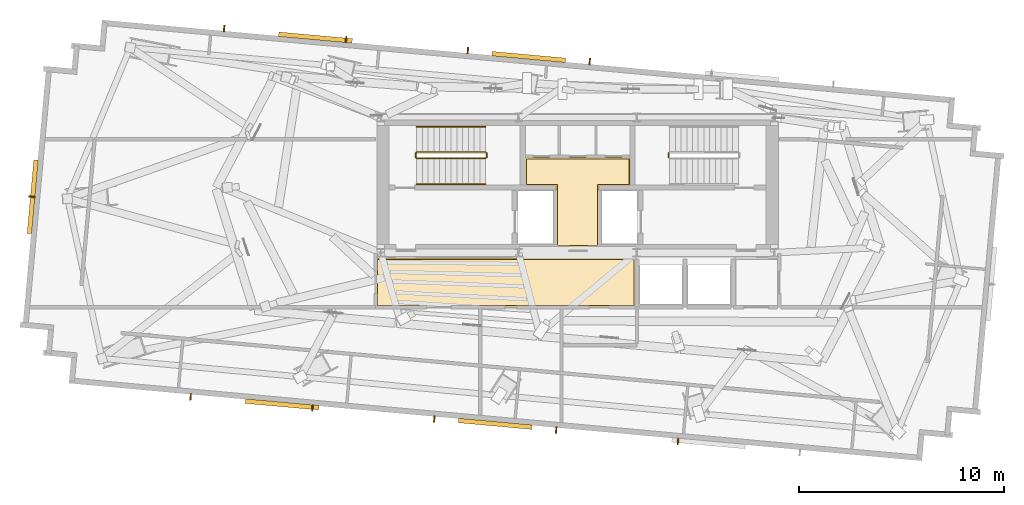
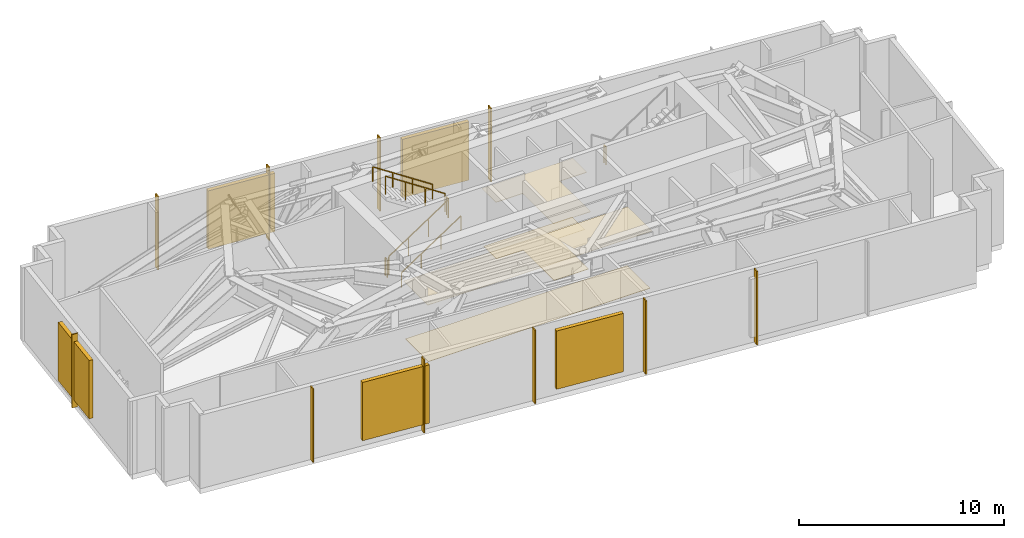
# One storey, part 8 of 9: 15 shading devices, 7 railings, 4 coverings.
"""IFC4 building model written with IfcOpenShell, lengths in metres."""

from ifc_helpers import new_model, si_unit, direction, frame, origin, origin_2d, place, context, subcontext, project, spatial, polyline, rectangle, outline, extrude, source, transform, mapped, material, layer, layer_set, type_object, type_shapes, element, save


model = new_model("IFC4")

# Units and contexts
model_context = context("Model", 3, precision=1e-05, world=origin(), true_north=direction((0.0, 1.0)))
body_context = subcontext(model_context, "Body", "Model", "MODEL_VIEW")
ifc_project = project(units=[si_unit("LENGTHUNIT", "METRE"), si_unit("AREAUNIT", "SQUARE_METRE"), si_unit("VOLUMEUNIT", "CUBIC_METRE"), si_unit("PLANEANGLEUNIT", "RADIAN"), si_unit("MASSUNIT", "GRAM", prefix="KILO")], contexts=[model_context])

# Site, building, storey
site_placement = place(None, origin())
site = spatial("IfcSite", under=ifc_project, at=site_placement, CompositionType="ELEMENT")
building_placement = place(site_placement, origin())
building = spatial("IfcBuilding", under=site, at=building_placement, Name="Astriad Promenade Condominiums", CompositionType="ELEMENT")
storey_placement = place(building_placement, frame((0.0, 0.0, 259.5)))
storey = spatial("IfcBuildingStorey", under=building, at=storey_placement, Name="L75", CompositionType="ELEMENT", Elevation=259.5)

# Coverings
ifc_material_1 = material(Name="Mineral-Fibre Acoustic Ceiling Tile")
ifc_layer_1 = layer(ifc_material_1, 0.02490234375)
ifc_layer_set_1 = layer_set([ifc_layer_1], Name="Mineral-Fibre Acoustic Ceiling Tile")
covering_type_1 = type_object("IfcCoveringType", Name="COV-CEIL-ACOUSTIC-25", PredefinedType="CEILING", material=ifc_layer_set_1)
covering_1_placement = place(storey_placement, frame((0.0, 0.0, 3.43505859375)))
element("IfcCovering", 1, at=covering_1_placement, inside=storey, type_object=covering_type_1, Name="CEIL-L75-CSL", PredefinedType="CEILING", context=body_context, shape_type="SweptSolid", body=[
    extrude(outline(polyline([(37.050048828125, 17.699951171875), (37.0498046875, 17.697021484375), (37.04931640625, 17.694091796875), (37.048583984375, 17.69140625), (37.047607421875, 17.6884765625), (37.04638671875, 17.685791015625), (37.044921875, 17.683349609375), (37.043212890625, 17.680908203125), (37.041259765625, 17.6787109375), (37.0390625, 17.6767578125), (37.03662109375, 17.675048828125), (37.0341796875, 17.673583984375), (37.031494140625, 17.67236328125), (37.02880859375, 17.67138671875), (37.02587890625, 17.670654296875), (37.02294921875, 17.670166015625), (37.02001953125, 17.669921875), (34.97998046875, 17.669921875), (34.97705078125, 17.670166015625), (34.97412109375, 17.670654296875), (34.97119140625, 17.67138671875), (34.968505859375, 17.67236328125), (34.9658203125, 17.673583984375), (34.96337890625, 17.675048828125), (34.9609375, 17.6767578125), (34.958740234375, 17.6787109375), (34.956787109375, 17.680908203125), (34.955078125, 17.683349609375), (34.95361328125, 17.685791015625), (34.952392578125, 17.6884765625), (34.951416015625, 17.69140625), (34.95068359375, 17.694091796875), (34.9501953125, 17.697021484375), (34.949951171875, 17.699951171875), (34.949951171875, 20.669921875), (33.4599609375, 20.669921875), (33.45703125, 20.670166015625), (33.4541015625, 20.670654296875), (33.451416015625, 20.67138671875), (33.448486328125, 20.67236328125), (33.44580078125, 20.673583984375), (33.443359375, 20.675048828125), (33.44091796875, 20.6767578125), (33.438720703125, 20.6787109375), (33.436767578125, 20.680908203125), (33.43505859375, 20.683349609375), (33.43359375, 20.685791015625), (33.432373046875, 20.6884765625), (33.431396484375, 20.69140625), (33.4306640625, 20.694091796875), (33.43017578125, 20.697021484375), (33.429931640625, 20.699951171875), (33.429931640625, 22.02001953125), (33.43017578125, 22.02294921875), (33.4306640625, 22.02587890625), (33.431396484375, 22.02880859375), (33.432373046875, 22.031494140625), (33.43359375, 22.0341796875), (33.43505859375, 22.03662109375), (33.436767578125, 22.0390625), (33.438720703125, 22.041259765625), (33.44091796875, 22.043212890625), (33.443359375, 22.044921875), (33.44580078125, 22.04638671875), (33.448486328125, 22.047607421875), (33.451416015625, 22.048583984375), (33.4541015625, 22.04931640625), (33.45703125, 22.0498046875), (33.4599609375, 22.050048828125), (38.5400390625, 22.050048828125), (38.54296875, 22.0498046875), (38.5458984375, 22.04931640625), (38.548583984375, 22.048583984375), (38.551513671875, 22.047607421875), (38.55419921875, 22.04638671875), (38.556640625, 22.044921875), (38.55908203125, 22.043212890625), (38.561279296875, 22.041259765625), (38.563232421875, 22.0390625), (38.56494140625, 22.03662109375), (38.56640625, 22.0341796875), (38.567626953125, 22.031494140625), (38.568603515625, 22.02880859375), (38.5693359375, 22.02587890625), (38.56982421875, 22.02294921875), (38.570068359375, 22.02001953125), (38.570068359375, 20.699951171875), (38.56982421875, 20.697021484375), (38.5693359375, 20.694091796875), (38.568603515625, 20.69140625), (38.567626953125, 20.6884765625), (38.56640625, 20.685791015625), (38.56494140625, 20.683349609375), (38.563232421875, 20.680908203125), (38.561279296875, 20.6787109375), (38.55908203125, 20.6767578125), (38.556640625, 20.675048828125), (38.55419921875, 20.673583984375), (38.551513671875, 20.67236328125), (38.548583984375, 20.67138671875), (38.5458984375, 20.670654296875), (38.54296875, 20.670166015625), (38.5400390625, 20.669921875), (37.050048828125, 20.669921875), (37.050048828125, 17.699951171875)])), origin(), (0.0, 0.0, 1.0), 0.02490234375),
])
covering_2_placement = place(storey_placement, frame((0.0, 0.0, 3.43505859375)))
element("IfcCovering", 2, at=covering_2_placement, inside=storey, type_object=covering_type_1, Name="CEIL-L75-PCOR-1", PredefinedType="CEILING", context=body_context, shape_type="SweptSolid", body=[
    extrude(outline(polyline([(38.8212890625, 17.12109375), (38.8232421875, 17.118896484375), (38.824951171875, 17.11669921875), (38.826416015625, 17.114013671875), (38.82763671875, 17.111572265625), (38.82861328125, 17.108642578125), (38.829345703125, 17.10595703125), (38.829833984375, 17.102783203125), (38.830078125, 17.10009765625), (38.830078125, 14.780029296875), (38.829833984375, 14.777099609375), (38.829345703125, 14.774169921875), (38.82861328125, 14.771240234375), (38.82763671875, 14.7685546875), (38.826416015625, 14.765869140625), (38.824951171875, 14.76318359375), (38.8232421875, 14.760986328125), (38.8212890625, 14.7587890625), (38.819091796875, 14.7568359375), (38.816650390625, 14.755126953125), (38.814208984375, 14.75341796875), (38.8115234375, 14.752197265625), (38.80859375, 14.751220703125), (38.805908203125, 14.75048828125), (38.802978515625, 14.75), (38.800048828125, 14.75), (26.199951171875, 14.75), (26.197021484375, 14.75), (26.194091796875, 14.75048828125), (26.19140625, 14.751220703125), (26.1884765625, 14.752197265625), (26.185791015625, 14.75341796875), (26.183349609375, 14.755126953125), (26.180908203125, 14.7568359375), (26.1787109375, 14.7587890625), (26.1767578125, 14.760986328125), (26.175048828125, 14.76318359375), (26.173583984375, 14.765869140625), (26.17236328125, 14.7685546875), (26.17138671875, 14.771240234375), (26.170654296875, 14.774169921875), (26.170166015625, 14.777099609375), (26.169921875, 14.780029296875), (26.169921875, 17.10009765625), (26.170166015625, 17.102783203125), (26.170654296875, 17.10595703125), (26.17138671875, 17.108642578125), (26.17236328125, 17.111572265625), (26.173583984375, 17.114013671875), (26.175048828125, 17.11669921875), (26.1767578125, 17.118896484375), (26.1787109375, 17.12109375), (26.18017578125, 17.122314453125), (26.669677734375, 17.122314453125), (26.669677734375, 17.1298828125), (32.850341796875, 17.1298828125), (32.850341796875, 17.122314453125), (33.3896484375, 17.122314453125), (33.3896484375, 17.1298828125), (38.6103515625, 17.1298828125), (38.6103515625, 17.122314453125), (38.81982421875, 17.122314453125), (38.8212890625, 17.12109375)])), origin(), (0.0, 0.0, 1.0), 0.02490234375),
])
ifc_material_2 = material(Name="Polished Lakefront Terrazzo Flooring")
ifc_layer_2 = layer(ifc_material_2, 0.02001953125)
ifc_layer_set_2 = layer_set([ifc_layer_2], Name="Polished Lakefront Terrazzo Flooring")
covering_type_2 = type_object("IfcCoveringType", Name="COV-FLOR-TERRAZZO-20", PredefinedType="FLOORING", material=ifc_layer_set_2)
covering_3_placement = place(storey_placement, origin())
element("IfcCovering", 3, at=covering_3_placement, inside=storey, type_object=covering_type_2, Name="FLR-L75-CSL", PredefinedType="FLOORING", context=body_context, shape_type="SweptSolid", body=[
    extrude(outline(polyline([(36.97998046875, 20.699951171875), (36.97998046875, 17.739990234375), (35.02001953125, 17.739990234375), (35.02001953125, 20.699951171875), (35.019775390625, 20.703857421875), (35.019287109375, 20.707763671875), (35.018310546875, 20.711669921875), (35.01708984375, 20.71533203125), (35.015380859375, 20.718994140625), (35.01318359375, 20.72216796875), (35.010986328125, 20.725341796875), (35.00830078125, 20.728271484375), (35.00537109375, 20.73095703125), (35.002197265625, 20.7333984375), (34.998779296875, 20.7353515625), (34.995361328125, 20.737060546875), (34.99169921875, 20.73828125), (34.98779296875, 20.7392578125), (34.98388671875, 20.73974609375), (34.97998046875, 20.739990234375), (33.5, 20.739990234375), (33.5, 21.97998046875), (38.5, 21.97998046875), (38.5, 20.739990234375), (37.02001953125, 20.739990234375), (37.01611328125, 20.73974609375), (37.01220703125, 20.7392578125), (37.00830078125, 20.73828125), (37.004638671875, 20.737060546875), (37.001220703125, 20.7353515625), (36.997802734375, 20.7333984375), (36.99462890625, 20.73095703125), (36.99169921875, 20.728271484375), (36.989013671875, 20.725341796875), (36.98681640625, 20.72216796875), (36.984619140625, 20.718994140625), (36.98291015625, 20.71533203125), (36.981689453125, 20.711669921875), (36.980712890625, 20.707763671875), (36.980224609375, 20.703857421875), (36.97998046875, 20.699951171875)])), origin(), (0.0, 0.0, 1.0), 0.02001953125),
])
covering_4_placement = place(storey_placement, origin())
element("IfcCovering", 4, at=covering_4_placement, inside=storey, type_object=covering_type_2, Name="FLR-L75-PCOR-1", PredefinedType="FLOORING", context=body_context, shape_type="SweptSolid", body=[
    extrude(outline(polyline([(26.239990234375, 17.06005859375), (38.760009765625, 17.06005859375), (38.760009765625, 14.820068359375), (26.239990234375, 14.820068359375), (26.239990234375, 17.06005859375)])), origin(), (0.0, 0.0, 1.0), 0.02001953125),
])

# Shading devices
ifc_material_3 = material(Name="Anodised aluminium 6063-T6 Black Louvre", Category="aluminium")
shading_device_type_1 = type_object("IfcShadingDeviceType", Name="LOUVRE-ACOUSTIC-220", PredefinedType="JALOUSIE", material=ifc_material_3)
shared_shape_1 = source(origin(), body_context, "Body", "SweptSolid", [
    extrude(rectangle(XDim=3.60009765625, YDim=0.219970703125, at=origin_2d()), origin(), (0.0, 0.0, 1.0), 3.47998046875),
])
type_shapes(shading_device_type_1, [shared_shape_1])
for number, where, z_axis, x_axis, name in (
    (5, (9.40673828125, 20.12890625, 0.449951171875), (0.0, 0.0, 1.0), (0.090632580198, 0.995884398616, 0.0), "LVR-L75-W-1"),
    (6, (23.207763671875, 27.900146484375, 0.449951171875), (0.0, 0.0, 1.0), (0.995884398616, -0.090632580198, 0.0), "LVR-L75-N-1"),
    (7, (33.61474609375, 26.952880859375, 0.449951171875), (0.0, 0.0, 1.0), (0.995884398616, -0.090632580198, 0.0), "LVR-L75-N-2"),
    (8, (31.9853515625, 9.047119140625, 0.449951171875), (0.0, 0.0, 1.0), (-0.995884398616, 0.090632580198, 0.0), "LVR-L75-S-2"),
    (9, (21.578369140625, 9.994140625, 0.449951171875), (0.0, 0.0, 1.0), (-0.995884398616, 0.090632580198, 0.0), "LVR-L75-S-3"),
):
    element("IfcShadingDevice", number, at=place(storey_placement, frame(where, z_axis=z_axis, x_axis=x_axis)), inside=storey, type_object=shading_device_type_1, Name=name, PredefinedType="JALOUSIE", context=body_context, shape_type="MappedRepresentation", body=[
        mapped(shared_shape_1, transform((0.0, 0.0, 0.0), scale=1.0)),
    ])
ifc_material_4 = material(Name="Anodised aluminium 6063-T6 Black Fin", Category="aluminium")
shading_device_type_2 = type_object("IfcShadingDeviceType", Name="FIN-BLACK-260", PredefinedType="USERDEFINED", material=ifc_material_4)
shared_shape_2 = source(origin(), body_context, "Body", "SweptSolid", [
    extrude(rectangle(XDim=0.06494140625, YDim=0.320068359375, at=origin_2d()), origin(), (0.0, 0.0, 1.0), 4.3798828125),
])
type_shapes(shading_device_type_2, [shared_shape_2])
for number, where, z_axis, x_axis, name in (
    (10, (9.366943359375, 20.132568359375, 0.0), (0.0, 0.0, 1.0), (0.090632580198, 0.995884398616, 0.0), "FIN-PLT-L75-W-01"),
    (11, (18.751220703125, 28.345703125, 0.0), (0.0, 0.0, 1.0), (0.995884398616, -0.090632580198, 0.0), "FIN-PLT-L75-N-01"),
    (12, (24.697998046875, 27.8046875, 0.0), (0.0, 0.0, 1.0), (0.995884398616, -0.090632580198, 0.0), "FIN-PLT-L75-N-02"),
    (13, (30.64501953125, 27.263427734375, 0.0), (0.0, 0.0, 1.0), (0.995884398616, -0.090632580198, 0.0), "FIN-PLT-L75-N-03"),
    (14, (36.591796875, 26.72216796875, 0.0), (0.0, 0.0, 1.0), (0.995884398616, -0.090632580198, 0.0), "FIN-PLT-L75-N-04"),
    (15, (40.90185546875, 8.1953125, 0.0), (0.0, 0.0, 1.0), (-0.995884398616, 0.090632580198, 0.0), "FIN-PLT-L75-S-02"),
    (16, (34.955078125, 8.736572265625, 0.0), (0.0, 0.0, 1.0), (-0.995884398616, 0.090632580198, 0.0), "FIN-PLT-L75-S-03"),
    (17, (29.00830078125, 9.27783203125, 0.0), (0.0, 0.0, 1.0), (-0.995884398616, 0.090632580198, 0.0), "FIN-PLT-L75-S-04"),
    (18, (23.061279296875, 9.819091796875, 0.0), (0.0, 0.0, 1.0), (-0.995884398616, 0.090632580198, 0.0), "FIN-PLT-L75-S-05"),
    (19, (17.114501953125, 10.360107421875, 0.0), (0.0, 0.0, 1.0), (-0.995884398616, 0.090632580198, 0.0), "FIN-PLT-L75-S-06"),
):
    element("IfcShadingDevice", number, at=place(storey_placement, frame(where, z_axis=z_axis, x_axis=x_axis)), inside=storey, type_object=shading_device_type_2, Name=name, ObjectType="FIN", PredefinedType="USERDEFINED", context=body_context, shape_type="MappedRepresentation", body=[
        mapped(shared_shape_2, transform((0.0, 0.0, 0.0), scale=1.0)),
    ])

# Railings
ifc_material_5 = material(Name="Painted Galvanised Steel Guardrail", Category="steel")
railing_type_1 = type_object("IfcRailingType", Name="GRD-STAIR-1100", PredefinedType="GUARDRAIL", material=ifc_material_5)
shared_shape_3 = source(origin(), body_context, "Body", "SweptSolid", [
    extrude(rectangle(XDim=0.048095703125, YDim=0.048095703125, at=origin_2d()), frame((0.0, 0.0, 1.076171875), z_axis=(0.0, 1.0, 0.0), x_axis=(-1.0, 0.0, 0.0)), (0.0, 0.0, 1.0), 0.199951171875),
    extrude(rectangle(XDim=0.0419921875, YDim=0.0419921875, at=origin_2d()), origin(), (0.0, 0.0, 1.0), 1.052001953125),
    extrude(rectangle(XDim=0.0419921875, YDim=0.0419921875, at=origin_2d()), frame((0.0, 0.199951171875, 0.0)), (0.0, 0.0, 1.0), 1.052001953125),
])
for number, where, name in (
    (20, (31.56005859375, 22.050048828125, 2.39990234375), "L75 ST-1 stair guard 2"),
    (21, (28.10009765625, 22.050048828125, 0.0), "L75 ST-1 stair guard 4"),
):
    element("IfcRailing", number, at=place(storey_placement, frame(where)), inside=storey, type_object=railing_type_1, Name=name, PredefinedType="GUARDRAIL", context=body_context, shape_type="MappedRepresentation", body=[
        mapped(shared_shape_3, transform((0.0, 0.0, 0.0), scale=1.0)),
    ])
shared_shape_4 = source(origin(), body_context, "Body", "SweptSolid", [
    extrude(rectangle(XDim=0.048095703125, YDim=0.048095703125, at=origin_2d()), frame((0.0, 0.0, 1.076171875), z_axis=(0.834876476806, 0.0, 0.550437342915), x_axis=(0.0, 1.0, 0.0)), (0.0, 0.0, 1.0), 4.024658203125),
    extrude(rectangle(XDim=0.0419921875, YDim=0.0419921875, at=origin_2d()), origin(), (0.0, 0.0, 1.0), 1.052001953125),
    extrude(rectangle(XDim=0.0419921875, YDim=0.0419921875, at=origin_2d()), frame((1.1201171875, 0.0, 0.738525390625)), (0.0, 0.0, 1.0), 1.052001953125),
    extrude(rectangle(XDim=0.0419921875, YDim=0.0419921875, at=origin_2d()), frame((2.239990234375, 0.0, 1.476806640625)), (0.0, 0.0, 1.0), 1.052001953125),
    extrude(rectangle(XDim=0.0419921875, YDim=0.0419921875, at=origin_2d()), frame((3.360107421875, 0.0, 2.21533203125)), (0.0, 0.0, 1.0), 1.052001953125),
])
railing_1_placement = place(storey_placement, frame((28.14990234375, 22.0, 0.1845703125)))
element("IfcRailing", 22, at=railing_1_placement, inside=storey, type_object=railing_type_1, Name="L75 ST-1 stair guard 1", PredefinedType="GUARDRAIL", context=body_context, shape_type="MappedRepresentation", body=[
    mapped(shared_shape_4, transform((0.0, 0.0, 0.0), scale=1.0)),
])
ifc_material_6 = material(Name="Brushed Stainless Steel Handrail", Category="steel")
railing_type_2 = type_object("IfcRailingType", Name="HRL-STAIR-920", PredefinedType="HANDRAIL", material=ifc_material_6)
shared_shape_5 = source(origin(), body_context, "Body", "SweptSolid", [
    extrude(rectangle(XDim=0.048095703125, YDim=0.048095703125, at=origin_2d()), frame((0.0, 0.0, 0.8759765625), z_axis=(0.834876476806, 0.0, 0.550437342915), x_axis=(0.0, 1.0, 0.0)), (0.0, 0.0, 1.0), 4.024658203125),
    extrude(rectangle(XDim=0.0419921875, YDim=0.0419921875, at=origin_2d()), origin(), (0.0, 0.0, 1.0), 0.851806640625),
    extrude(rectangle(XDim=0.0419921875, YDim=0.0419921875, at=origin_2d()), frame((1.1201171875, 0.0, 0.738525390625)), (0.0, 0.0, 1.0), 0.851806640625),
    extrude(rectangle(XDim=0.0419921875, YDim=0.0419921875, at=origin_2d()), frame((2.239990234375, 0.0, 1.476806640625)), (0.0, 0.0, 1.0), 0.851806640625),
    extrude(rectangle(XDim=0.0419921875, YDim=0.0419921875, at=origin_2d()), frame((3.360107421875, 0.0, 2.21533203125)), (0.0, 0.0, 1.0), 0.851806640625),
])
railing_2_placement = place(storey_placement, frame((28.14990234375, 20.75, 0.1845703125)))
element("IfcRailing", 23, at=railing_2_placement, inside=storey, type_object=railing_type_2, Name="L75 ST-1 stair handrail 1", PredefinedType="HANDRAIL", context=body_context, shape_type="MappedRepresentation", body=[
    mapped(shared_shape_5, transform((0.0, 0.0, 0.0), scale=1.0)),
])
shared_shape_6 = source(origin(), body_context, "Body", "SweptSolid", [
    extrude(rectangle(XDim=0.048095703125, YDim=0.048095703125, at=origin_2d()), frame((0.0, 0.0, 1.076171875), z_axis=(-0.834876476806, 0.0, 0.550437342915), x_axis=(0.0, -1.0, 0.0)), (0.0, 0.0, 1.0), 4.024658203125),
    extrude(rectangle(XDim=0.0419921875, YDim=0.0419921875, at=origin_2d()), origin(), (0.0, 0.0, 1.0), 1.052001953125),
    extrude(rectangle(XDim=0.0419921875, YDim=0.0419921875, at=origin_2d()), frame((-1.1201171875, 0.0, 0.738525390625)), (0.0, 0.0, 1.0), 1.052001953125),
    extrude(rectangle(XDim=0.0419921875, YDim=0.0419921875, at=origin_2d()), frame((-2.239990234375, 0.0, 1.476806640625)), (0.0, 0.0, 1.0), 1.052001953125),
    extrude(rectangle(XDim=0.0419921875, YDim=0.0419921875, at=origin_2d()), frame((-3.360107421875, 0.0, 2.21533203125)), (0.0, 0.0, 1.0), 1.052001953125),
])
railing_3_placement = place(storey_placement, frame((31.510009765625, 22.300048828125, 2.584716796875)))
element("IfcRailing", 24, at=railing_3_placement, inside=storey, type_object=railing_type_1, Name="L75 ST-1 stair guard 3", PredefinedType="GUARDRAIL", context=body_context, shape_type="MappedRepresentation", body=[
    mapped(shared_shape_6, transform((0.0, 0.0, 0.0), scale=1.0)),
])
shared_shape_7 = source(origin(), body_context, "Body", "SweptSolid", [
    extrude(rectangle(XDim=0.048095703125, YDim=0.048095703125, at=origin_2d()), frame((0.0, 0.0, 0.8759765625), z_axis=(-0.834876476806, 0.0, 0.550437342915), x_axis=(0.0, -1.0, 0.0)), (0.0, 0.0, 1.0), 4.024658203125),
    extrude(rectangle(XDim=0.0419921875, YDim=0.0419921875, at=origin_2d()), origin(), (0.0, 0.0, 1.0), 0.851806640625),
    extrude(rectangle(XDim=0.0419921875, YDim=0.0419921875, at=origin_2d()), frame((-1.1201171875, 0.0, 0.738525390625)), (0.0, 0.0, 1.0), 0.851806640625),
    extrude(rectangle(XDim=0.0419921875, YDim=0.0419921875, at=origin_2d()), frame((-2.239990234375, 0.0, 1.476806640625)), (0.0, 0.0, 1.0), 0.851806640625),
    extrude(rectangle(XDim=0.0419921875, YDim=0.0419921875, at=origin_2d()), frame((-3.360107421875, 0.0, 2.21533203125)), (0.0, 0.0, 1.0), 0.851806640625),
])
type_shapes(railing_type_2, [shared_shape_5, shared_shape_7])
railing_4_placement = place(storey_placement, frame((31.510009765625, 23.550048828125, 2.584716796875)))
element("IfcRailing", 25, at=railing_4_placement, inside=storey, type_object=railing_type_2, Name="L75 ST-1 stair handrail 2", PredefinedType="HANDRAIL", context=body_context, shape_type="MappedRepresentation", body=[
    mapped(shared_shape_7, transform((0.0, 0.0, 0.0), scale=1.0)),
])
shared_shape_8 = source(origin(), body_context, "Body", "SweptSolid", [
    extrude(rectangle(XDim=0.048095703125, YDim=0.048095703125, at=origin_2d()), frame((0.0, 0.0, 1.076171875), z_axis=(0.0, -1.0, 0.0), x_axis=(1.0, 0.0, 0.0)), (0.0, 0.0, 1.0), 0.199951171875),
    extrude(rectangle(XDim=0.0419921875, YDim=0.0419921875, at=origin_2d()), origin(), (0.0, 0.0, 1.0), 1.052001953125),
    extrude(rectangle(XDim=0.0419921875, YDim=0.0419921875, at=origin_2d()), frame((0.0, -0.199951171875, 0.0)), (0.0, 0.0, 1.0), 1.052001953125),
])
type_shapes(railing_type_1, [shared_shape_3, shared_shape_4, shared_shape_6, shared_shape_8])
railing_5_placement = place(storey_placement, frame((40.43994140625, 22.25, 2.39990234375)))
element("IfcRailing", 26, at=railing_5_placement, inside=storey, type_object=railing_type_1, Name="L75 ST-2 stair guard 2", PredefinedType="GUARDRAIL", context=body_context, shape_type="MappedRepresentation", body=[
    mapped(shared_shape_8, transform((0.0, 0.0, 0.0), scale=1.0)),
])

save(model, "model.ifc")
